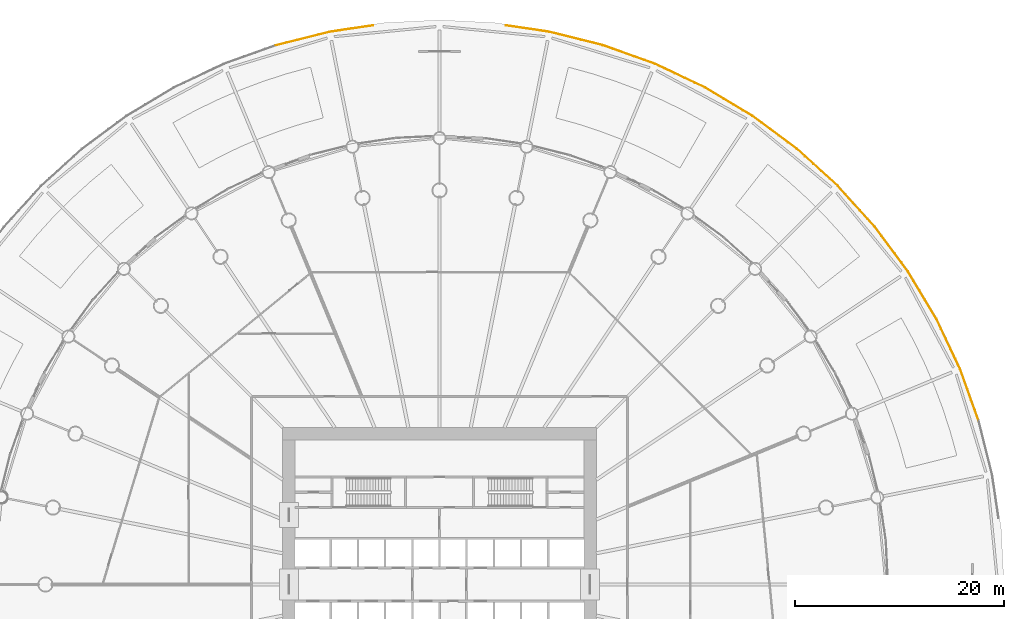
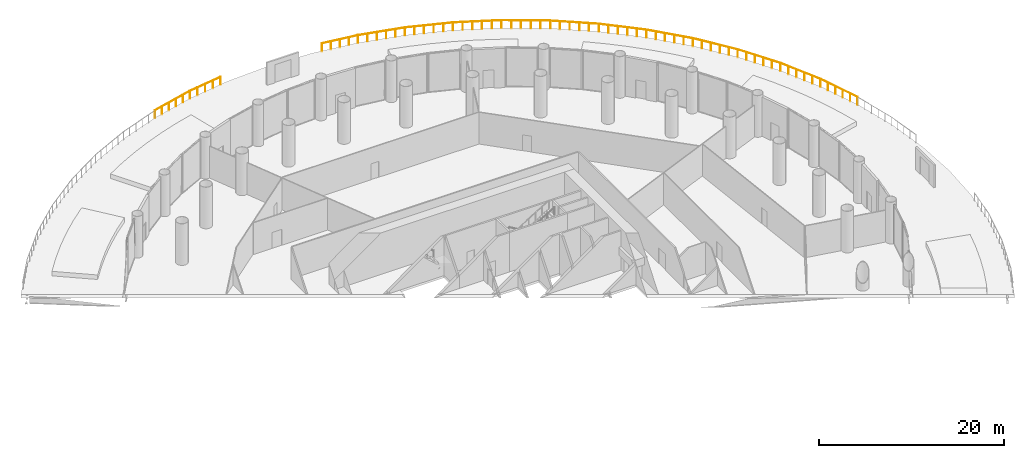
# One storey, part 36 of 36: 2 railings.
"""IFC4 building model written with IfcOpenShell, lengths in metres."""

from ifc_helpers import new_model, si_unit, direction, frame, origin, origin_2d, place, context, subcontext, project, spatial, circle, extrude, material, type_object, element, save


model = new_model("IFC4")

# Units and contexts
model_context = context("Model", 3, precision=1e-05, world=origin(), true_north=direction((0.0, 1.0)))
body_context = subcontext(model_context, "Body", "Model", "MODEL_VIEW")
ifc_project = project(units=[si_unit("LENGTHUNIT", "METRE"), si_unit("AREAUNIT", "SQUARE_METRE"), si_unit("VOLUMEUNIT", "CUBIC_METRE"), si_unit("PLANEANGLEUNIT", "RADIAN"), si_unit("MASSUNIT", "GRAM", prefix="KILO")], contexts=[model_context])

# Site, building, storey
site_placement = place(None, origin())
site = spatial("IfcSite", under=ifc_project, at=site_placement, CompositionType="ELEMENT")
building_placement = place(site_placement, origin())
building = spatial("IfcBuilding", under=site, at=building_placement, Name="Corvane Civic Tower", CompositionType="ELEMENT")
storey_placement = place(building_placement, frame((0.0, 0.0, 6.0)))
storey = spatial("IfcBuildingStorey", under=building, at=storey_placement, Name="L01", CompositionType="ELEMENT", Elevation=6.0)

# Railings
ifc_material = material(Name="Steel ASTM A572 Gr 50", Category="steel")
railing_type = type_object("IfcRailingType", Name="PODIUM-RL-GUARD-1100", PredefinedType="GUARDRAIL", material=ifc_material)
railing_1_placement = place(storey_placement, frame((-15.6220703125, 51.585205078125, 0.0)))
element("IfcRailing", 1, at=railing_1_placement, inside=storey, type_object=railing_type, Name="Garden deck guard 2", PredefinedType="GUARDRAIL", context=body_context, shape_type="SweptSolid", body=[
    extrude(circle(Radius=0.02392578125, at=origin_2d()), frame((0.0, 0.0, 1.076171875), z_axis=(0.970036015988, 0.242961164974, 0.0), x_axis=(-0.242961164974, 0.970036015988, 0.0)), (0.0, 0.0, 1.0), 5.264404296875),
    extrude(circle(Radius=0.02392578125, at=origin_2d()), frame((5.106689453125, 1.279052734375, 1.076171875), z_axis=(0.989174492617, 0.146744073666, 0.0), x_axis=(-0.146744073666, 0.989174492617, 0.0)), (0.0, 0.0, 1.0), 4.2109375),
    extrude(circle(Radius=0.02099609375, at=origin_2d()), origin(), (0.0, 0.0, 1.0), 1.052001953125),
    extrude(circle(Radius=0.02099609375, at=origin_2d()), frame((1.021240234375, 0.255859375, 0.0)), (0.0, 0.0, 1.0), 1.052001953125),
    extrude(circle(Radius=0.02099609375, at=origin_2d()), frame((2.042724609375, 0.51171875, 0.0)), (0.0, 0.0, 1.0), 1.052001953125),
    extrude(circle(Radius=0.02099609375, at=origin_2d()), frame((3.06396484375, 0.767333984375, 0.0)), (0.0, 0.0, 1.0), 1.052001953125),
    extrude(circle(Radius=0.02099609375, at=origin_2d()), frame((4.08544921875, 1.023193359375, 0.0)), (0.0, 0.0, 1.0), 1.052001953125),
    extrude(circle(Radius=0.02099609375, at=origin_2d()), frame((5.106689453125, 1.279052734375, 0.0)), (0.0, 0.0, 1.0), 1.052001953125),
    extrude(circle(Radius=0.02099609375, at=origin_2d()), frame((6.14794921875, 1.43359375, 0.0)), (0.0, 0.0, 1.0), 1.052001953125),
    extrude(circle(Radius=0.02099609375, at=origin_2d()), frame((7.189453125, 1.587890625, 0.0)), (0.0, 0.0, 1.0), 1.052001953125),
    extrude(circle(Radius=0.02099609375, at=origin_2d()), frame((8.230712890625, 1.742431640625, 0.0)), (0.0, 0.0, 1.0), 1.052001953125),
    extrude(circle(Radius=0.02099609375, at=origin_2d()), frame((9.27197265625, 1.89697265625, 0.0)), (0.0, 0.0, 1.0), 1.052001953125),
])
railing_2_placement = place(storey_placement, frame((6.35009765625, 53.482177734375, 0.0)))
element("IfcRailing", 2, at=railing_2_placement, inside=storey, type_object=railing_type, Name="Garden deck guard 5", PredefinedType="GUARDRAIL", context=body_context, shape_type="SweptSolid", body=[
    extrude(circle(Radius=0.02392578125, at=origin_2d()), frame((0.0, 0.0, 1.076171875), z_axis=(0.989174492617, -0.146744073666, 0.0), x_axis=(0.146744073666, 0.989174492617, 0.0)), (0.0, 0.0, 1.0), 4.2109375),
    extrude(circle(Radius=0.02392578125, at=origin_2d()), frame((4.165283203125, -0.617919921875, 1.076171875), z_axis=(0.970033798368, -0.242970018777, 0.0), x_axis=(0.242970018777, 0.970033798368, 0.0)), (0.0, 0.0, 1.0), 5.289306640625),
    extrude(circle(Radius=0.02392578125, at=origin_2d()), frame((9.296142578125, -1.903076171875, 1.076171875), z_axis=(0.941527650852, -0.33693572485, 0.0), x_axis=(0.33693572485, 0.941527650852, 0.0)), (0.0, 0.0, 1.0), 5.28955078125),
    extrude(circle(Radius=0.02392578125, at=origin_2d()), frame((14.2763671875, -3.685302734375, 1.076171875), z_axis=(0.903998000295, -0.427536683178, 0.0), x_axis=(0.427536683178, 0.903998000295, 0.0)), (0.0, 0.0, 1.0), 5.28955078125),
    extrude(circle(Radius=0.02392578125, at=origin_2d()), frame((19.05810546875, -5.94677734375, 1.076171875), z_axis=(0.85773311943, -0.514095220589, 0.0), x_axis=(0.514095220589, 0.85773311943, 0.0)), (0.0, 0.0, 1.0), 5.289306640625),
    extrude(circle(Radius=0.02392578125, at=origin_2d()), frame((23.594970703125, -8.666015625, 1.076171875), z_axis=(0.80322838799, -0.595671181716, 0.0), x_axis=(0.595671181716, 0.80322838799, 0.0)), (0.0, 0.0, 1.0), 5.28955078125),
    extrude(circle(Radius=0.02392578125, at=origin_2d()), frame((27.84375, -11.81689453125, 1.076171875), z_axis=(0.740941734233, -0.671569316208, 0.0), x_axis=(0.671569316208, 0.740941734233, 0.0)), (0.0, 0.0, 1.0), 5.28955078125),
    extrude(circle(Radius=0.02392578125, at=origin_2d()), frame((31.762939453125, -15.369140625, 1.076171875), z_axis=(0.671569316208, -0.740941734233, 0.0), x_axis=(0.740941734233, 0.671569316208, 0.0)), (0.0, 0.0, 1.0), 5.28955078125),
    extrude(circle(Radius=0.02392578125, at=origin_2d()), frame((35.315185546875, -19.288330078125, 1.076171875), z_axis=(0.595671181716, -0.80322838799, 0.0), x_axis=(0.80322838799, 0.595671181716, 0.0)), (0.0, 0.0, 1.0), 5.28955078125),
    extrude(circle(Radius=0.02392578125, at=origin_2d()), frame((38.466064453125, -23.537109375, 1.076171875), z_axis=(0.514095220589, -0.85773311943, 0.0), x_axis=(0.85773311943, 0.514095220589, 0.0)), (0.0, 0.0, 1.0), 5.289306640625),
    extrude(circle(Radius=0.02392578125, at=origin_2d()), frame((41.185302734375, -28.073974609375, 1.076171875), z_axis=(0.427536683178, -0.903998000295, 0.0), x_axis=(0.903998000295, 0.427536683178, 0.0)), (0.0, 0.0, 1.0), 5.28955078125),
    extrude(circle(Radius=0.02392578125, at=origin_2d()), frame((43.44677734375, -32.855712890625, 1.076171875), z_axis=(0.336923904714, -0.941531880731, 0.0), x_axis=(0.941531880731, 0.336923904714, 0.0)), (0.0, 0.0, 1.0), 5.264404296875),
    extrude(circle(Radius=0.02099609375, at=origin_2d()), origin(), (0.0, 0.0, 1.0), 1.052001953125),
    extrude(circle(Radius=0.02099609375, at=origin_2d()), frame((1.041259765625, -0.154541015625, 0.0)), (0.0, 0.0, 1.0), 1.052001953125),
    extrude(circle(Radius=0.02099609375, at=origin_2d()), frame((2.08251953125, -0.30908203125, 0.0)), (0.0, 0.0, 1.0), 1.052001953125),
    extrude(circle(Radius=0.02099609375, at=origin_2d()), frame((3.1240234375, -0.46337890625, 0.0)), (0.0, 0.0, 1.0), 1.052001953125),
    extrude(circle(Radius=0.02099609375, at=origin_2d()), frame((4.165283203125, -0.617919921875, 0.0)), (0.0, 0.0, 1.0), 1.052001953125),
    extrude(circle(Radius=0.02099609375, at=origin_2d()), frame((5.19140625, -0.875, 0.0)), (0.0, 0.0, 1.0), 1.052001953125),
    extrude(circle(Radius=0.02099609375, at=origin_2d()), frame((6.217529296875, -1.132080078125, 0.0)), (0.0, 0.0, 1.0), 1.052001953125),
    extrude(circle(Radius=0.02099609375, at=origin_2d()), frame((7.243896484375, -1.388916015625, 0.0)), (0.0, 0.0, 1.0), 1.052001953125),
    extrude(circle(Radius=0.02099609375, at=origin_2d()), frame((8.27001953125, -1.64599609375, 0.0)), (0.0, 0.0, 1.0), 1.052001953125),
    extrude(circle(Radius=0.02099609375, at=origin_2d()), frame((9.296142578125, -1.903076171875, 0.0)), (0.0, 0.0, 1.0), 1.052001953125),
    extrude(circle(Radius=0.02099609375, at=origin_2d()), frame((10.292236328125, -2.259521484375, 0.0)), (0.0, 0.0, 1.0), 1.052001953125),
    extrude(circle(Radius=0.02099609375, at=origin_2d()), frame((11.288330078125, -2.615966796875, 0.0)), (0.0, 0.0, 1.0), 1.052001953125),
    extrude(circle(Radius=0.02099609375, at=origin_2d()), frame((12.2841796875, -2.972412109375, 0.0)), (0.0, 0.0, 1.0), 1.052001953125),
    extrude(circle(Radius=0.02099609375, at=origin_2d()), frame((13.2802734375, -3.328857421875, 0.0)), (0.0, 0.0, 1.0), 1.052001953125),
    extrude(circle(Radius=0.02099609375, at=origin_2d()), frame((14.2763671875, -3.685302734375, 0.0)), (0.0, 0.0, 1.0), 1.052001953125),
    extrude(circle(Radius=0.02099609375, at=origin_2d()), frame((15.232666015625, -4.1376953125, 0.0)), (0.0, 0.0, 1.0), 1.052001953125),
    extrude(circle(Radius=0.02099609375, at=origin_2d()), frame((16.18896484375, -4.58984375, 0.0)), (0.0, 0.0, 1.0), 1.052001953125),
    extrude(circle(Radius=0.02099609375, at=origin_2d()), frame((17.1455078125, -5.042236328125, 0.0)), (0.0, 0.0, 1.0), 1.052001953125),
    extrude(circle(Radius=0.02099609375, at=origin_2d()), frame((18.101806640625, -5.494384765625, 0.0)), (0.0, 0.0, 1.0), 1.052001953125),
    extrude(circle(Radius=0.02099609375, at=origin_2d()), frame((19.05810546875, -5.94677734375, 0.0)), (0.0, 0.0, 1.0), 1.052001953125),
    extrude(circle(Radius=0.02099609375, at=origin_2d()), frame((19.965576171875, -6.49072265625, 0.0)), (0.0, 0.0, 1.0), 1.052001953125),
    extrude(circle(Radius=0.02099609375, at=origin_2d()), frame((20.872802734375, -7.034423828125, 0.0)), (0.0, 0.0, 1.0), 1.052001953125),
    extrude(circle(Radius=0.02099609375, at=origin_2d()), frame((21.7802734375, -7.578369140625, 0.0)), (0.0, 0.0, 1.0), 1.052001953125),
    extrude(circle(Radius=0.02099609375, at=origin_2d()), frame((22.6875, -8.1220703125, 0.0)), (0.0, 0.0, 1.0), 1.052001953125),
    extrude(circle(Radius=0.02099609375, at=origin_2d()), frame((23.594970703125, -8.666015625, 0.0)), (0.0, 0.0, 1.0), 1.052001953125),
    extrude(circle(Radius=0.02099609375, at=origin_2d()), frame((24.44482421875, -9.296142578125, 0.0)), (0.0, 0.0, 1.0), 1.052001953125),
    extrude(circle(Radius=0.02099609375, at=origin_2d()), frame((25.29443359375, -9.92626953125, 0.0)), (0.0, 0.0, 1.0), 1.052001953125),
    extrude(circle(Radius=0.02099609375, at=origin_2d()), frame((26.144287109375, -10.556640625, 0.0)), (0.0, 0.0, 1.0), 1.052001953125),
    extrude(circle(Radius=0.02099609375, at=origin_2d()), frame((26.993896484375, -11.186767578125, 0.0)), (0.0, 0.0, 1.0), 1.052001953125),
    extrude(circle(Radius=0.02099609375, at=origin_2d()), frame((27.84375, -11.81689453125, 0.0)), (0.0, 0.0, 1.0), 1.052001953125),
    extrude(circle(Radius=0.02099609375, at=origin_2d()), frame((28.627685546875, -12.52734375, 0.0)), (0.0, 0.0, 1.0), 1.052001953125),
    extrude(circle(Radius=0.02099609375, at=origin_2d()), frame((29.411376953125, -13.23779296875, 0.0)), (0.0, 0.0, 1.0), 1.052001953125),
    extrude(circle(Radius=0.02099609375, at=origin_2d()), frame((30.1953125, -13.9482421875, 0.0)), (0.0, 0.0, 1.0), 1.052001953125),
    extrude(circle(Radius=0.02099609375, at=origin_2d()), frame((30.97900390625, -14.65869140625, 0.0)), (0.0, 0.0, 1.0), 1.052001953125),
    extrude(circle(Radius=0.02099609375, at=origin_2d()), frame((31.762939453125, -15.369140625, 0.0)), (0.0, 0.0, 1.0), 1.052001953125),
    extrude(circle(Radius=0.02099609375, at=origin_2d()), frame((32.473388671875, -16.153076171875, 0.0)), (0.0, 0.0, 1.0), 1.052001953125),
    extrude(circle(Radius=0.02099609375, at=origin_2d()), frame((33.183837890625, -16.936767578125, 0.0)), (0.0, 0.0, 1.0), 1.052001953125),
    extrude(circle(Radius=0.02099609375, at=origin_2d()), frame((33.894287109375, -17.720703125, 0.0)), (0.0, 0.0, 1.0), 1.052001953125),
    extrude(circle(Radius=0.02099609375, at=origin_2d()), frame((34.604736328125, -18.50439453125, 0.0)), (0.0, 0.0, 1.0), 1.052001953125),
    extrude(circle(Radius=0.02099609375, at=origin_2d()), frame((35.315185546875, -19.288330078125, 0.0)), (0.0, 0.0, 1.0), 1.052001953125),
    extrude(circle(Radius=0.02099609375, at=origin_2d()), frame((35.9453125, -20.13818359375, 0.0)), (0.0, 0.0, 1.0), 1.052001953125),
    extrude(circle(Radius=0.02099609375, at=origin_2d()), frame((36.575439453125, -20.98779296875, 0.0)), (0.0, 0.0, 1.0), 1.052001953125),
    extrude(circle(Radius=0.02099609375, at=origin_2d()), frame((37.205810546875, -21.837646484375, 0.0)), (0.0, 0.0, 1.0), 1.052001953125),
    extrude(circle(Radius=0.02099609375, at=origin_2d()), frame((37.8359375, -22.687255859375, 0.0)), (0.0, 0.0, 1.0), 1.052001953125),
    extrude(circle(Radius=0.02099609375, at=origin_2d()), frame((38.466064453125, -23.537109375, 0.0)), (0.0, 0.0, 1.0), 1.052001953125),
    extrude(circle(Radius=0.02099609375, at=origin_2d()), frame((39.010009765625, -24.444580078125, 0.0)), (0.0, 0.0, 1.0), 1.052001953125),
    extrude(circle(Radius=0.02099609375, at=origin_2d()), frame((39.5537109375, -25.351806640625, 0.0)), (0.0, 0.0, 1.0), 1.052001953125),
    extrude(circle(Radius=0.02099609375, at=origin_2d()), frame((40.09765625, -26.25927734375, 0.0)), (0.0, 0.0, 1.0), 1.052001953125),
    extrude(circle(Radius=0.02099609375, at=origin_2d()), frame((40.641357421875, -27.16650390625, 0.0)), (0.0, 0.0, 1.0), 1.052001953125),
    extrude(circle(Radius=0.02099609375, at=origin_2d()), frame((41.185302734375, -28.073974609375, 0.0)), (0.0, 0.0, 1.0), 1.052001953125),
    extrude(circle(Radius=0.02099609375, at=origin_2d()), frame((41.6376953125, -29.0302734375, 0.0)), (0.0, 0.0, 1.0), 1.052001953125),
    extrude(circle(Radius=0.02099609375, at=origin_2d()), frame((42.08984375, -29.986572265625, 0.0)), (0.0, 0.0, 1.0), 1.052001953125),
    extrude(circle(Radius=0.02099609375, at=origin_2d()), frame((42.542236328125, -30.943115234375, 0.0)), (0.0, 0.0, 1.0), 1.052001953125),
    extrude(circle(Radius=0.02099609375, at=origin_2d()), frame((42.994384765625, -31.8994140625, 0.0)), (0.0, 0.0, 1.0), 1.052001953125),
    extrude(circle(Radius=0.02099609375, at=origin_2d()), frame((43.44677734375, -32.855712890625, 0.0)), (0.0, 0.0, 1.0), 1.052001953125),
    extrude(circle(Radius=0.02099609375, at=origin_2d()), frame((43.801513671875, -33.846923828125, 0.0)), (0.0, 0.0, 1.0), 1.052001953125),
    extrude(circle(Radius=0.02099609375, at=origin_2d()), frame((44.15625, -34.83837890625, 0.0)), (0.0, 0.0, 1.0), 1.052001953125),
    extrude(circle(Radius=0.02099609375, at=origin_2d()), frame((44.510986328125, -35.82958984375, 0.0)), (0.0, 0.0, 1.0), 1.052001953125),
    extrude(circle(Radius=0.02099609375, at=origin_2d()), frame((44.86572265625, -36.821044921875, 0.0)), (0.0, 0.0, 1.0), 1.052001953125),
    extrude(circle(Radius=0.02099609375, at=origin_2d()), frame((45.220458984375, -37.812255859375, 0.0)), (0.0, 0.0, 1.0), 1.052001953125),
])

save(model, "model.ifc")
